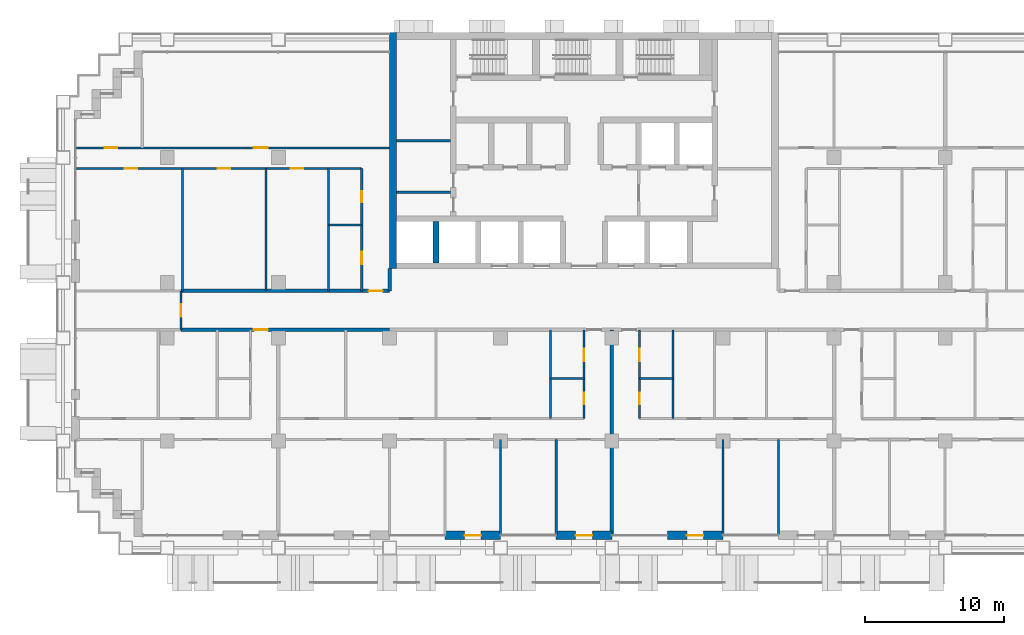
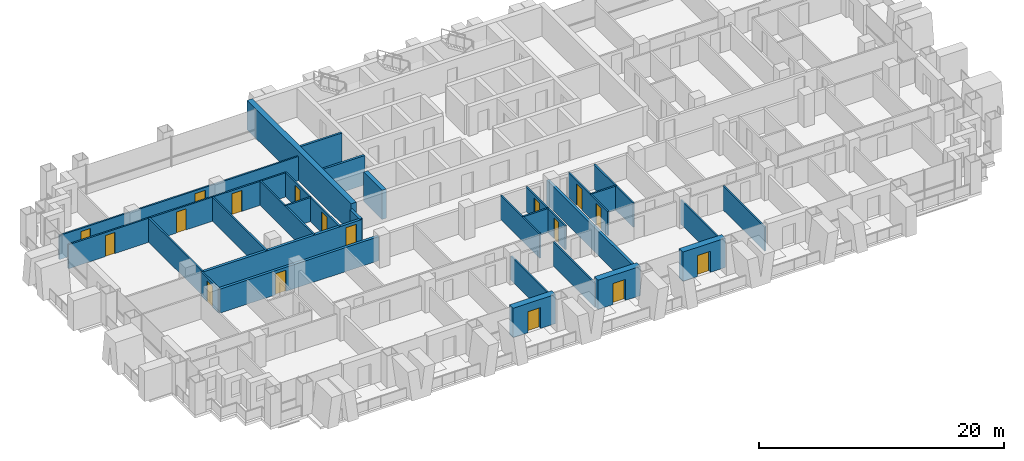
# One storey, part 10 of 18: 29 walls, 17 doors, 17 openings.
"""IFC4 building model written with IfcOpenShell, lengths in metres."""

from ifc_helpers import new_model, si_unit, direction, frame, frame_2d, origin, place, context, subcontext, project, spatial, rectangle, extrude, material, layer, layer_set, type_object, element, fill, save


model = new_model("IFC4")

# Units and contexts
model_context = context("Model", 3, precision=1e-05, world=origin(), true_north=direction((0.0, 1.0)))
body_context = subcontext(model_context, "Body", "Model", "MODEL_VIEW")
ifc_project = project(units=[si_unit("LENGTHUNIT", "METRE"), si_unit("AREAUNIT", "SQUARE_METRE"), si_unit("VOLUMEUNIT", "CUBIC_METRE"), si_unit("PLANEANGLEUNIT", "RADIAN"), si_unit("MASSUNIT", "GRAM", prefix="KILO")], contexts=[model_context])

# Site, building, storey
site_placement = place(None, origin())
site = spatial("IfcSite", under=ifc_project, at=site_placement, CompositionType="ELEMENT")
building_placement = place(site_placement, origin())
building = spatial("IfcBuilding", under=site, at=building_placement, Name="Vidyagriha Tower", CompositionType="ELEMENT")
storey_placement = place(building_placement, frame((0.0, 0.0, 44.800048828125)))
storey = spatial("IfcBuildingStorey", under=building, at=storey_placement, Name="L11", CompositionType="ELEMENT", Elevation=44.800048828125)

# Wall, opening, door
ifc_material_1 = material(Name="Precast concrete C40/50 with brick facing", Category="concrete")
ifc_layer_1 = layer(ifc_material_1, 0.60009765625)
ifc_layer_set_1 = layer_set([ifc_layer_1], Name="Precast concrete C40/50 with brick facing")
wall_type_1 = type_object("IfcWallType", Name="Brick-faced precast wall 600", PredefinedType="STANDARD", material=ifc_layer_set_1)
wall_1_placement = place(storey_placement, frame((-10.0, -16.199951171875, 0.0)))
wall_1 = element("IfcWall", 1, at=wall_1_placement, inside=storey, type_object=wall_type_1, Name="Brick door bay wall L11 R23.7", PredefinedType="STANDARD", context=body_context, shape_type="SweptSolid", body=[
    extrude(rectangle(XDim=4.0, YDim=0.60009765625, at=frame_2d((2.0, 0.0))), origin(), (0.0, 0.0, 1.0), 2.919921875),
])
opening_1_placement = place(wall_1_placement, frame((1.39990234375, 0.0, 0.0)))
opening_1 = element("IfcOpeningElement", 2, at=opening_1_placement, cuts=wall_1, Name="Opening D11-79", PredefinedType="OPENING", context=body_context, shape_type="SweptSolid", body=[
    extrude(rectangle(XDim=1.199951171875, YDim=2.10009765625, at=frame_2d((0.60009765625, 1.050048828125))), frame((0.0, 0.31005859375, 0.0), z_axis=(0.0, -1.0, 0.0), x_axis=(1.0, 0.0, 0.0)), (0.0, 0.0, 1.0), 0.6201171875),
])
ifc_material_2 = material(Name="Aluminium framed glazed sliding door", Category="aluminium")
door_type_1 = type_object("IfcDoorType", Name="Balcony sliding door 1200x2100", OperationType="NOTDEFINED", PredefinedType="DOOR", material=ifc_material_2)
door_1_placement = place(opening_1_placement, origin())
door_1 = element("IfcDoor", 3, at=door_1_placement, inside=storey, type_object=door_type_1, Name="Door D11-79", OperationType="SLIDING_TO_LEFT", OverallHeight=2.10009765625, OverallWidth=1.199951171875, PredefinedType="DOOR", context=body_context, shape_type="SweptSolid", body=[
    extrude(rectangle(XDim=1.199951171875, YDim=2.10009765625, at=frame_2d((0.60009765625, 1.050048828125))), frame((0.0, 0.02490234375, 0.0), z_axis=(0.0, -1.0, 0.0), x_axis=(1.0, 0.0, 0.0)), (0.0, 0.0, 1.0), 0.050048828125),
])
fill(opening_1, door_1)

wall_2_placement = place(storey_placement, frame((-2.0, -16.199951171875, 0.0)))
wall_2 = element("IfcWall", 4, at=wall_2_placement, inside=storey, type_object=wall_type_1, Name="Brick door bay wall L11 R23.9", PredefinedType="STANDARD", context=body_context, shape_type="SweptSolid", body=[
    extrude(rectangle(XDim=4.0, YDim=0.60009765625, at=frame_2d((2.0, 0.0))), origin(), (0.0, 0.0, 1.0), 2.919921875),
])
opening_2_placement = place(wall_2_placement, frame((1.39990234375, 0.0, 0.0)))
opening_2 = element("IfcOpeningElement", 5, at=opening_2_placement, cuts=wall_2, Name="Opening D11-80", PredefinedType="OPENING", context=body_context, shape_type="SweptSolid", body=[
    extrude(rectangle(XDim=1.199951171875, YDim=2.10009765625, at=frame_2d((0.60009765625, 1.050048828125))), frame((0.0, 0.31005859375, 0.0), z_axis=(0.0, -1.0, 0.0), x_axis=(1.0, 0.0, 0.0)), (0.0, 0.0, 1.0), 0.6201171875),
])
door_2_placement = place(opening_2_placement, origin())
door_2 = element("IfcDoor", 6, at=door_2_placement, inside=storey, type_object=door_type_1, Name="Door D11-80", OperationType="SLIDING_TO_LEFT", OverallHeight=2.10009765625, OverallWidth=1.199951171875, PredefinedType="DOOR", context=body_context, shape_type="SweptSolid", body=[
    extrude(rectangle(XDim=1.199951171875, YDim=2.10009765625, at=frame_2d((0.60009765625, 1.050048828125))), frame((0.0, 0.02490234375, 0.0), z_axis=(0.0, -1.0, 0.0), x_axis=(1.0, 0.0, 0.0)), (0.0, 0.0, 1.0), 0.050048828125),
])
fill(opening_2, door_2)

wall_3_placement = place(storey_placement, frame((6.0, -16.199951171875, 0.0)))
wall_3 = element("IfcWall", 7, at=wall_3_placement, inside=storey, type_object=wall_type_1, Name="Brick door bay wall L11 R23.11", PredefinedType="STANDARD", context=body_context, shape_type="SweptSolid", body=[
    extrude(rectangle(XDim=4.0, YDim=0.60009765625, at=frame_2d((2.0, 0.0))), origin(), (0.0, 0.0, 1.0), 2.919921875),
])
opening_3_placement = place(wall_3_placement, frame((1.39990234375, 0.0, 0.0)))
opening_3 = element("IfcOpeningElement", 8, at=opening_3_placement, cuts=wall_3, Name="Opening D11-81", PredefinedType="OPENING", context=body_context, shape_type="SweptSolid", body=[
    extrude(rectangle(XDim=1.199951171875, YDim=2.10009765625, at=frame_2d((0.60009765625, 1.050048828125))), frame((0.0, 0.31005859375, 0.0), z_axis=(0.0, -1.0, 0.0), x_axis=(1.0, 0.0, 0.0)), (0.0, 0.0, 1.0), 0.6201171875),
])
door_3_placement = place(opening_3_placement, origin())
door_3 = element("IfcDoor", 9, at=door_3_placement, inside=storey, type_object=door_type_1, Name="Door D11-81", OperationType="SLIDING_TO_LEFT", OverallHeight=2.10009765625, OverallWidth=1.199951171875, PredefinedType="DOOR", context=body_context, shape_type="SweptSolid", body=[
    extrude(rectangle(XDim=1.199951171875, YDim=2.10009765625, at=frame_2d((0.60009765625, 1.050048828125))), frame((0.0, 0.02490234375, 0.0), z_axis=(0.0, -1.0, 0.0), x_axis=(1.0, 0.0, 0.0)), (0.0, 0.0, 1.0), 0.050048828125),
])
fill(opening_3, door_3)

# Walls
ifc_material_3 = material(Name="Concrete C60/75", Category="concrete")
ifc_layer_2 = layer(ifc_material_3, 0.39990234375)
ifc_layer_set_2 = layer_set([ifc_layer_2], Name="Concrete C60/75")
wall_type_2 = type_object("IfcWallType", Name="Core shear wall 400 mm", PredefinedType="SHEAR", material=ifc_layer_set_2)
wall_4_placement = place(storey_placement, frame((-10.655517578125, 3.39990234375, 0.0), z_axis=(0.0, 0.0, 1.0), x_axis=(0.0, 1.0, 0.0)))
element("IfcWall", 10, at=wall_4_placement, inside=storey, type_object=wall_type_2, Name="Core bay wall S1", PredefinedType="SHEAR", context=body_context, shape_type="SweptSolid", body=[
    extrude(rectangle(XDim=3.0, YDim=0.39990234375, at=frame_2d((1.5, 0.0))), origin(), (0.0, 0.0, 1.0), 2.919921875),
])
ifc_material_4 = material(Name="Concrete C60/75", Category="concrete")
ifc_layer_3 = layer(ifc_material_4, 0.5)
ifc_layer_set_3 = layer_set([ifc_layer_3], Name="Concrete C60/75")
wall_type_3 = type_object("IfcWallType", Name="Core shear wall 500 mm", PredefinedType="SHEAR", material=ifc_layer_set_3)
wall_5_placement = place(storey_placement, frame((-13.75, 3.0, 0.0), z_axis=(0.0, 0.0, 1.0), x_axis=(0.0, 1.0, 0.0)))
element("IfcWall", 11, at=wall_5_placement, inside=storey, type_object=wall_type_3, Name="Core west wall", PredefinedType="SHEAR", context=body_context, shape_type="SweptSolid", body=[
    extrude(rectangle(XDim=17.0, YDim=0.5, at=frame_2d((8.5, 0.0))), origin(), (0.0, 0.0, 1.0), 2.919921875),
])

# Wall, opening, door
ifc_material_5 = material(Name="Fired clay brick masonry", Category="masonry")
ifc_layer_4 = layer(ifc_material_5, 0.25)
ifc_layer_set_4 = layer_set([ifc_layer_4], Name="Fired clay brick masonry")
wall_type_4 = type_object("IfcWallType", Name="Fired clay brick corridor wall 250", PredefinedType="PARTITIONING", material=ifc_layer_set_4)
wall_6_placement = place(storey_placement, frame((-14.0, -1.39990234375, 0.0), z_axis=(0.0, 0.0, 1.0), x_axis=(-1.0, 0.0, 0.0)))
wall_6 = element("IfcWall", 12, at=wall_6_placement, inside=storey, type_object=wall_type_4, Name="Wall all-L11-w078", PredefinedType="PARTITIONING", context=body_context, shape_type="SweptSolid", body=[
    extrude(rectangle(XDim=15.0, YDim=0.25, at=frame_2d((7.5, 0.0))), origin(), (0.0, 0.0, 1.0), 2.39990234375),
])
opening_4_placement = place(wall_6_placement, frame((8.760009765625, 0.0, 0.0)))
opening_4 = element("IfcOpeningElement", 13, at=opening_4_placement, cuts=wall_6, Name="Opening D11-21", PredefinedType="OPENING", context=body_context, shape_type="SweptSolid", body=[
    extrude(rectangle(XDim=1.0, YDim=2.10009765625, at=frame_2d((0.5, 1.050048828125))), frame((0.0, 0.135009765625, 0.0), z_axis=(0.0, -1.0, 0.0), x_axis=(1.0, 0.0, 0.0)), (0.0, 0.0, 1.0), 0.27001953125),
])
ifc_material_6 = material(Name="Fire-rated timber door leaf EI 60", Category="wood")
door_type_2 = type_object("IfcDoorType", Name="Flat entrance fire door 1000x2100", OperationType="NOTDEFINED", PredefinedType="DOOR", material=ifc_material_6)
door_4_placement = place(opening_4_placement, origin())
door_4 = element("IfcDoor", 14, at=door_4_placement, inside=storey, type_object=door_type_2, Name="Door D11-21", OperationType="SINGLE_SWING_LEFT", OverallHeight=2.10009765625, OverallWidth=1.0, PredefinedType="DOOR", context=body_context, shape_type="SweptSolid", body=[
    extrude(rectangle(XDim=1.0, YDim=2.10009765625, at=frame_2d((0.5, 1.050048828125))), frame((0.0, 0.02490234375, 0.0), z_axis=(0.0, -1.0, 0.0), x_axis=(1.0, 0.0, 0.0)), (0.0, 0.0, 1.0), 0.050048828125),
])
fill(opening_4, door_4)

wall_7_placement = place(storey_placement, frame((-29.0, 1.39990234375, 0.0)))
wall_7 = element("IfcWall", 15, at=wall_7_placement, inside=storey, type_object=wall_type_4, Name="Wall all-L11-w098", PredefinedType="PARTITIONING", context=body_context, shape_type="SweptSolid", body=[
    extrude(rectangle(XDim=15.0, YDim=0.25, at=frame_2d((7.5, 0.0))), origin(), (0.0, 0.0, 1.0), 2.39990234375),
])
opening_5_placement = place(wall_7_placement, frame((13.5, 0.0, 0.0)))
opening_5 = element("IfcOpeningElement", 16, at=opening_5_placement, cuts=wall_7, Name="Opening D11-59", PredefinedType="OPENING", context=body_context, shape_type="SweptSolid", body=[
    extrude(rectangle(XDim=1.0, YDim=2.10009765625, at=frame_2d((0.5, 1.050048828125))), frame((0.0, 0.135009765625, 0.0), z_axis=(0.0, -1.0, 0.0), x_axis=(1.0, 0.0, 0.0)), (0.0, 0.0, 1.0), 0.27001953125),
])
door_5_placement = place(opening_5_placement, origin())
door_5 = element("IfcDoor", 17, at=door_5_placement, inside=storey, type_object=door_type_2, Name="Door D11-59", OperationType="SINGLE_SWING_RIGHT", OverallHeight=2.10009765625, OverallWidth=1.0, PredefinedType="DOOR", context=body_context, shape_type="SweptSolid", body=[
    extrude(rectangle(XDim=1.0, YDim=2.10009765625, at=frame_2d((0.5, 1.050048828125))), frame((0.0, 0.02490234375, 0.0), z_axis=(0.0, -1.0, 0.0), x_axis=(1.0, 0.0, 0.0)), (0.0, 0.0, 1.0), 0.050048828125),
])
fill(opening_5, door_5)

# Walls
wall_8_placement = place(storey_placement, frame((-14.0, 3.0, 0.0), z_axis=(0.0, 0.0, 1.0), x_axis=(0.0, -1.0, 0.0)))
element("IfcWall", 18, at=wall_8_placement, inside=storey, type_object=wall_type_4, Name="Wall all-L11-w134", PredefinedType="PARTITIONING", context=body_context, shape_type="SweptSolid", body=[
    extrude(rectangle(XDim=1.60009765625, YDim=0.25, at=frame_2d((0.800048828125, 0.0))), origin(), (0.0, 0.0, 1.0), 2.39990234375),
])
ifc_material_7 = material(Name="Fired clay brick masonry", Category="masonry")
ifc_layer_5 = layer(ifc_material_7, 0.25)
ifc_layer_set_5 = layer_set([ifc_layer_5], Name="Fired clay brick masonry")
wall_type_5 = type_object("IfcWallType", Name="Fired clay brick demising wall 250", PredefinedType="PARTITIONING", material=ifc_layer_set_5)
wall_9_placement = place(storey_placement, frame((2.0, -1.39990234375, 0.0), z_axis=(0.0, 0.0, 1.0), x_axis=(0.0, -1.0, 0.0)))
element("IfcWall", 19, at=wall_9_placement, inside=storey, type_object=wall_type_5, Name="Wall all-L11-w056", PredefinedType="PARTITIONING", context=body_context, shape_type="SweptSolid", body=[
    extrude(rectangle(XDim=14.710205078125, YDim=0.25, at=frame_2d((7.35498046875, 0.0))), origin(), (0.0, 0.0, 1.0), 2.39990234375),
])
ifc_material_8 = material(Name="Gypsum board partition")
ifc_layer_6 = layer(ifc_material_8, 0.14990234375)
ifc_layer_set_6 = layer_set([ifc_layer_6], Name="Gypsum board partition")
wall_type_6 = type_object("IfcWallType", Name="Gypsum board partition 150", PredefinedType="PARTITIONING", material=ifc_layer_set_6)
wall_10_placement = place(storey_placement, frame((0.0, -4.89990234375, 0.0), z_axis=(0.0, 0.0, 1.0), x_axis=(-1.0, 0.0, 0.0)))
element("IfcWall", 20, at=wall_10_placement, inside=storey, type_object=wall_type_6, Name="Wall all-L11-w018", PredefinedType="PARTITIONING", context=body_context, shape_type="SweptSolid", body=[
    extrude(rectangle(XDim=2.39990234375, YDim=0.14990234375, at=frame_2d((1.199951171875, 0.0))), origin(), (0.0, 0.0, 1.0), 2.39990234375),
])
wall_11_placement = place(storey_placement, frame((-2.39990234375, -7.800048828125, 0.0), z_axis=(0.0, 0.0, 1.0), x_axis=(0.0, 1.0, 0.0)))
element("IfcWall", 21, at=wall_11_placement, inside=storey, type_object=wall_type_6, Name="Wall all-L11-w019", PredefinedType="PARTITIONING", context=body_context, shape_type="SweptSolid", body=[
    extrude(rectangle(XDim=6.400146484375, YDim=0.14990234375, at=frame_2d((3.2001953125, 0.0))), origin(), (0.0, 0.0, 1.0), 2.39990234375),
])
wall_12_placement = place(storey_placement, frame((-6.0, -9.300048828125, 0.0), z_axis=(0.0, 0.0, 1.0), x_axis=(0.0, -1.0, 0.0)))
element("IfcWall", 22, at=wall_12_placement, inside=storey, type_object=wall_type_6, Name="Wall all-L11-w034", PredefinedType="PARTITIONING", context=body_context, shape_type="SweptSolid", body=[
    extrude(rectangle(XDim=6.81005859375, YDim=0.14990234375, at=frame_2d((3.405029296875, 0.0))), origin(), (0.0, 0.0, 1.0), 2.39990234375),
])
wall_13_placement = place(storey_placement, frame((-2.0, -9.300048828125, 0.0), z_axis=(0.0, 0.0, 1.0), x_axis=(0.0, -1.0, 0.0)))
element("IfcWall", 23, at=wall_13_placement, inside=storey, type_object=wall_type_6, Name="Wall all-L11-w035", PredefinedType="PARTITIONING", context=body_context, shape_type="SweptSolid", body=[
    extrude(rectangle(XDim=6.821044921875, YDim=0.14990234375, at=frame_2d((3.41064453125, 0.0))), origin(), (0.0, 0.0, 1.0), 2.39990234375),
])
wall_14_placement = place(storey_placement, frame((6.39990234375, -4.89990234375, 0.0), z_axis=(0.0, 0.0, 1.0), x_axis=(-1.0, 0.0, 0.0)))
element("IfcWall", 24, at=wall_14_placement, inside=storey, type_object=wall_type_6, Name="Wall all-L11-w041", PredefinedType="PARTITIONING", context=body_context, shape_type="SweptSolid", body=[
    extrude(rectangle(XDim=2.39990234375, YDim=0.14990234375, at=frame_2d((1.199951171875, 0.0))), origin(), (0.0, 0.0, 1.0), 2.39990234375),
])
wall_15_placement = place(storey_placement, frame((6.39990234375, -1.39990234375, 0.0), z_axis=(0.0, 0.0, 1.0), x_axis=(0.0, -1.0, 0.0)))
element("IfcWall", 25, at=wall_15_placement, inside=storey, type_object=wall_type_6, Name="Wall all-L11-w042", PredefinedType="PARTITIONING", context=body_context, shape_type="SweptSolid", body=[
    extrude(rectangle(XDim=6.400146484375, YDim=0.14990234375, at=frame_2d((3.2001953125, 0.0))), origin(), (0.0, 0.0, 1.0), 2.39990234375),
])
wall_16_placement = place(storey_placement, frame((10.0, -9.300048828125, 0.0), z_axis=(0.0, 0.0, 1.0), x_axis=(0.0, -1.0, 0.0)))
element("IfcWall", 26, at=wall_16_placement, inside=storey, type_object=wall_type_6, Name="Wall all-L11-w053", PredefinedType="PARTITIONING", context=body_context, shape_type="SweptSolid", body=[
    extrude(rectangle(XDim=6.81005859375, YDim=0.14990234375, at=frame_2d((3.405029296875, 0.0))), origin(), (0.0, 0.0, 1.0), 2.39990234375),
])
wall_17_placement = place(storey_placement, frame((14.0, -9.300048828125, 0.0), z_axis=(0.0, 0.0, 1.0), x_axis=(0.0, -1.0, 0.0)))
element("IfcWall", 27, at=wall_17_placement, inside=storey, type_object=wall_type_6, Name="Wall all-L11-w054", PredefinedType="PARTITIONING", context=body_context, shape_type="SweptSolid", body=[
    extrude(rectangle(XDim=6.821044921875, YDim=0.14990234375, at=frame_2d((3.41064453125, 0.0))), origin(), (0.0, 0.0, 1.0), 2.39990234375),
])
wall_18_placement = place(storey_placement, frame((-18.39990234375, 6.14990234375, 0.0)))
element("IfcWall", 28, at=wall_18_placement, inside=storey, type_object=wall_type_6, Name="Wall all-L11-w085", PredefinedType="PARTITIONING", context=body_context, shape_type="SweptSolid", body=[
    extrude(rectangle(XDim=2.39990234375, YDim=0.14990234375, at=frame_2d((1.199951171875, 0.0))), origin(), (0.0, 0.0, 1.0), 2.39990234375),
])
for number, where, z_axis, x_axis, name in (
    (29, (-18.39990234375, 1.39990234375, 0.0), (0.0, 0.0, 1.0), (0.0, 1.0, 0.0), "Wall all-L11-w086"),
    (30, (-22.89990234375, 1.39990234375, 0.0), (0.0, 0.0, 1.0), (0.0, 1.0, 0.0), "Wall all-L11-w087"),
    (31, (-28.89990234375, 1.39990234375, 0.0), (0.0, 0.0, 1.0), (0.0, 1.0, 0.0), "Wall all-L11-w088"),
):
    element("IfcWall", number, at=place(storey_placement, frame(where, z_axis=z_axis, x_axis=x_axis)), inside=storey, type_object=wall_type_6, Name=name, PredefinedType="PARTITIONING", context=body_context, shape_type="SweptSolid", body=[
        extrude(rectangle(XDim=8.800048828125, YDim=0.14990234375, at=frame_2d((4.39990234375, 0.0))), origin(), (0.0, 0.0, 1.0), 2.39990234375),
    ])

# Wall, openings, doors
wall_19_placement = place(storey_placement, frame((-16.0, 10.199951171875, 0.0), z_axis=(0.0, 0.0, 1.0), x_axis=(-1.0, 0.0, 0.0)))
wall_19 = element("IfcWall", 32, at=wall_19_placement, inside=storey, type_object=wall_type_6, Name="Wall all-L11-w089", PredefinedType="PARTITIONING", context=body_context, shape_type="SweptSolid", body=[
    extrude(rectangle(XDim=20.52001953125, YDim=0.14990234375, at=frame_2d((10.260009765625, 0.0))), origin(), (0.0, 0.0, 1.0), 2.39990234375),
])
opening_6_placement = place(wall_19_placement, frame((4.199951171875, 0.0, 0.0)))
opening_6 = element("IfcOpeningElement", 33, at=opening_6_placement, cuts=wall_19, Name="Opening D11-54", PredefinedType="OPENING", context=body_context, shape_type="SweptSolid", body=[
    extrude(rectangle(XDim=0.89990234375, YDim=2.10009765625, at=frame_2d((0.449951171875, 1.050048828125))), frame((0.0, 0.0849609375, 0.0), z_axis=(0.0, -1.0, 0.0), x_axis=(1.0, 0.0, 0.0)), (0.0, 0.0, 1.0), 0.169921875),
])
opening_7_placement = place(wall_19_placement, frame((9.449951171875, 0.0, 0.0)))
opening_7 = element("IfcOpeningElement", 34, at=opening_7_placement, cuts=wall_19, Name="Opening D11-55", PredefinedType="OPENING", context=body_context, shape_type="SweptSolid", body=[
    extrude(rectangle(XDim=0.89990234375, YDim=2.10009765625, at=frame_2d((0.449951171875, 1.050048828125))), frame((0.0, 0.0849609375, 0.0), z_axis=(0.0, -1.0, 0.0), x_axis=(1.0, 0.0, 0.0)), (0.0, 0.0, 1.0), 0.169921875),
])
opening_8_placement = place(wall_19_placement, frame((16.14990234375, 0.0, 0.0)))
opening_8 = element("IfcOpeningElement", 35, at=opening_8_placement, cuts=wall_19, Name="Opening D11-56", PredefinedType="OPENING", context=body_context, shape_type="SweptSolid", body=[
    extrude(rectangle(XDim=0.89990234375, YDim=2.10009765625, at=frame_2d((0.449951171875, 1.050048828125))), frame((0.0, 0.0849609375, 0.0), z_axis=(0.0, -1.0, 0.0), x_axis=(1.0, 0.0, 0.0)), (0.0, 0.0, 1.0), 0.169921875),
])
ifc_material_9 = material(Name="Timber door leaf", Category="wood")
door_type_3 = type_object("IfcDoorType", Name="Room door 900x2100", OperationType="NOTDEFINED", PredefinedType="DOOR", material=ifc_material_9)
door_6_placement = place(opening_6_placement, origin())
door_6 = element("IfcDoor", 36, at=door_6_placement, inside=storey, type_object=door_type_3, Name="Door D11-54", OperationType="SINGLE_SWING_RIGHT", OverallHeight=2.10009765625, OverallWidth=0.89990234375, PredefinedType="DOOR", context=body_context, shape_type="SweptSolid", body=[
    extrude(rectangle(XDim=0.89990234375, YDim=2.10009765625, at=frame_2d((0.449951171875, 1.050048828125))), frame((0.0, 0.02490234375, 0.0), z_axis=(0.0, -1.0, 0.0), x_axis=(1.0, 0.0, 0.0)), (0.0, 0.0, 1.0), 0.050048828125),
])
fill(opening_6, door_6)
door_7_placement = place(opening_7_placement, origin())
door_7 = element("IfcDoor", 37, at=door_7_placement, inside=storey, type_object=door_type_3, Name="Door D11-55", OperationType="SINGLE_SWING_RIGHT", OverallHeight=2.10009765625, OverallWidth=0.89990234375, PredefinedType="DOOR", context=body_context, shape_type="SweptSolid", body=[
    extrude(rectangle(XDim=0.89990234375, YDim=2.10009765625, at=frame_2d((0.449951171875, 1.050048828125))), frame((0.0, 0.02490234375, 0.0), z_axis=(0.0, -1.0, 0.0), x_axis=(1.0, 0.0, 0.0)), (0.0, 0.0, 1.0), 0.050048828125),
])
fill(opening_7, door_7)
door_8_placement = place(opening_8_placement, origin())
door_8 = element("IfcDoor", 38, at=door_8_placement, inside=storey, type_object=door_type_3, Name="Door D11-56", OperationType="SINGLE_SWING_RIGHT", OverallHeight=2.10009765625, OverallWidth=0.89990234375, PredefinedType="DOOR", context=body_context, shape_type="SweptSolid", body=[
    extrude(rectangle(XDim=0.89990234375, YDim=2.10009765625, at=frame_2d((0.449951171875, 1.050048828125))), frame((0.0, 0.02490234375, 0.0), z_axis=(0.0, -1.0, 0.0), x_axis=(1.0, 0.0, 0.0)), (0.0, 0.0, 1.0), 0.050048828125),
])
fill(opening_8, door_8)

wall_20_placement = place(storey_placement, frame((-36.52001953125, 11.699951171875, 0.0)))
wall_20 = element("IfcWall", 39, at=wall_20_placement, inside=storey, type_object=wall_type_6, Name="Wall all-L11-w093", PredefinedType="PARTITIONING", context=body_context, shape_type="SweptSolid", body=[
    extrude(rectangle(XDim=22.52001953125, YDim=0.14990234375, at=frame_2d((11.260009765625, 0.0))), origin(), (0.0, 0.0, 1.0), 2.39990234375),
])
opening_9_placement = place(wall_20_placement, frame((2.02001953125, 0.0, 0.0)))
opening_9 = element("IfcOpeningElement", 40, at=opening_9_placement, cuts=wall_20, Name="Opening D11-57", PredefinedType="OPENING", context=body_context, shape_type="SweptSolid", body=[
    extrude(rectangle(XDim=0.89990234375, YDim=2.10009765625, at=frame_2d((0.449951171875, 1.050048828125))), frame((0.0, 0.0849609375, 0.0), z_axis=(0.0, -1.0, 0.0), x_axis=(1.0, 0.0, 0.0)), (0.0, 0.0, 1.0), 0.169921875),
])
opening_10_placement = place(wall_20_placement, frame((12.760009765625, 0.0, 0.0)))
opening_10 = element("IfcOpeningElement", 41, at=opening_10_placement, cuts=wall_20, Name="Opening D11-58", PredefinedType="OPENING", context=body_context, shape_type="SweptSolid", body=[
    extrude(rectangle(XDim=1.0, YDim=2.10009765625, at=frame_2d((0.5, 1.050048828125))), frame((0.0, 0.0849609375, 0.0), z_axis=(0.0, -1.0, 0.0), x_axis=(1.0, 0.0, 0.0)), (0.0, 0.0, 1.0), 0.169921875),
])
ifc_material_10 = material(Name="Timber door leaf", Category="wood")
door_type_4 = type_object("IfcDoorType", Name="Room door 1000x2100", OperationType="NOTDEFINED", PredefinedType="DOOR", material=ifc_material_10)
door_9_placement = place(opening_10_placement, origin())
door_9 = element("IfcDoor", 42, at=door_9_placement, inside=storey, type_object=door_type_4, Name="Door D11-58", OperationType="SINGLE_SWING_LEFT", OverallHeight=2.10009765625, OverallWidth=1.0, PredefinedType="DOOR", context=body_context, shape_type="SweptSolid", body=[
    extrude(rectangle(XDim=1.0, YDim=2.10009765625, at=frame_2d((0.5, 1.050048828125))), frame((0.0, 0.02490234375, 0.0), z_axis=(0.0, -1.0, 0.0), x_axis=(1.0, 0.0, 0.0)), (0.0, 0.0, 1.0), 0.050048828125),
])
fill(opening_10, door_9)
door_10_placement = place(opening_9_placement, origin())
door_10 = element("IfcDoor", 43, at=door_10_placement, inside=storey, type_object=door_type_3, Name="Door D11-57", OperationType="SINGLE_SWING_RIGHT", OverallHeight=2.10009765625, OverallWidth=0.89990234375, PredefinedType="DOOR", context=body_context, shape_type="SweptSolid", body=[
    extrude(rectangle(XDim=0.89990234375, YDim=2.10009765625, at=frame_2d((0.449951171875, 1.050048828125))), frame((0.0, 0.02490234375, 0.0), z_axis=(0.0, -1.0, 0.0), x_axis=(1.0, 0.0, 0.0)), (0.0, 0.0, 1.0), 0.050048828125),
])
fill(opening_9, door_10)

# Wall, opening, door
wall_21_placement = place(storey_placement, frame((-29.0, 1.39990234375, 0.0), z_axis=(0.0, 0.0, 1.0), x_axis=(0.0, -1.0, 0.0)))
wall_21 = element("IfcWall", 44, at=wall_21_placement, inside=storey, type_object=wall_type_6, Name="Wall all-L11-w129", PredefinedType="PARTITIONING", context=body_context, shape_type="SweptSolid", body=[
    extrude(rectangle(XDim=2.7998046875, YDim=0.14990234375, at=frame_2d((1.39990234375, 0.0))), origin(), (0.0, 0.0, 1.0), 2.39990234375),
])
opening_11_placement = place(wall_21_placement, frame((0.949951171875, 0.0, 0.0)))
opening_11 = element("IfcOpeningElement", 45, at=opening_11_placement, cuts=wall_21, Name="Opening D11-73", PredefinedType="OPENING", context=body_context, shape_type="SweptSolid", body=[
    extrude(rectangle(XDim=0.89990234375, YDim=2.10009765625, at=frame_2d((0.449951171875, 1.050048828125))), frame((0.0, 0.0849609375, 0.0), z_axis=(0.0, -1.0, 0.0), x_axis=(1.0, 0.0, 0.0)), (0.0, 0.0, 1.0), 0.169921875),
])
door_11_placement = place(opening_11_placement, origin())
door_11 = element("IfcDoor", 46, at=door_11_placement, inside=storey, type_object=door_type_3, Name="Door D11-73", OperationType="SINGLE_SWING_RIGHT", OverallHeight=2.10009765625, OverallWidth=0.89990234375, PredefinedType="DOOR", context=body_context, shape_type="SweptSolid", body=[
    extrude(rectangle(XDim=0.89990234375, YDim=2.10009765625, at=frame_2d((0.449951171875, 1.050048828125))), frame((0.0, 0.02490234375, 0.0), z_axis=(0.0, -1.0, 0.0), x_axis=(1.0, 0.0, 0.0)), (0.0, 0.0, 1.0), 0.050048828125),
])
fill(opening_11, door_11)

# Wall, openings, doors
ifc_material_11 = material(Name="Moisture resistant gypsum board partition")
ifc_layer_7 = layer(ifc_material_11, 0.14990234375)
ifc_layer_set_7 = layer_set([ifc_layer_7], Name="Moisture resistant gypsum board partition")
wall_type_7 = type_object("IfcWallType", Name="Gypsum board wet-area partition 150", PredefinedType="PARTITIONING", material=ifc_layer_set_7)
wall_22_placement = place(storey_placement, frame((0.0, -7.800048828125, 0.0), z_axis=(0.0, 0.0, 1.0), x_axis=(0.0, 1.0, 0.0)))
wall_22 = element("IfcWall", 47, at=wall_22_placement, inside=storey, type_object=wall_type_7, Name="Wall all-L11-w015", PredefinedType="PARTITIONING", context=body_context, shape_type="SweptSolid", body=[
    extrude(rectangle(XDim=6.400146484375, YDim=0.14990234375, at=frame_2d((3.2001953125, 0.0))), origin(), (0.0, 0.0, 1.0), 2.39990234375),
])
opening_12_placement = place(wall_22_placement, frame((4.139892578125, 0.0, 0.0)))
opening_12 = element("IfcOpeningElement", 48, at=opening_12_placement, cuts=wall_22, Name="Opening D11-22", PredefinedType="OPENING", context=body_context, shape_type="SweptSolid", body=[
    extrude(rectangle(XDim=0.89990234375, YDim=2.10009765625, at=frame_2d((0.449951171875, 1.050048828125))), frame((0.0, 0.0849609375, 0.0), z_axis=(0.0, -1.0, 0.0), x_axis=(1.0, 0.0, 0.0)), (0.0, 0.0, 1.0), 0.169921875),
])
opening_13_placement = place(wall_22_placement, frame((1.050048828125, 0.0, 0.0)))
opening_13 = element("IfcOpeningElement", 49, at=opening_13_placement, cuts=wall_22, Name="Opening D11-23", PredefinedType="OPENING", context=body_context, shape_type="SweptSolid", body=[
    extrude(rectangle(XDim=0.800048828125, YDim=2.10009765625, at=frame_2d((0.39990234375, 1.050048828125))), frame((0.0, 0.0849609375, 0.0), z_axis=(0.0, -1.0, 0.0), x_axis=(1.0, 0.0, 0.0)), (0.0, 0.0, 1.0), 0.169921875),
])
ifc_material_12 = material(Name="Timber door leaf", Category="wood")
door_type_5 = type_object("IfcDoorType", Name="Bathroom door 800x2100", OperationType="NOTDEFINED", PredefinedType="DOOR", material=ifc_material_12)
door_12_placement = place(opening_13_placement, origin())
door_12 = element("IfcDoor", 50, at=door_12_placement, inside=storey, type_object=door_type_5, Name="Door D11-23", OperationType="SINGLE_SWING_RIGHT", OverallHeight=2.10009765625, OverallWidth=0.800048828125, PredefinedType="DOOR", context=body_context, shape_type="SweptSolid", body=[
    extrude(rectangle(XDim=0.800048828125, YDim=2.10009765625, at=frame_2d((0.39990234375, 1.050048828125))), frame((0.0, 0.02490234375, 0.0), z_axis=(0.0, -1.0, 0.0), x_axis=(1.0, 0.0, 0.0)), (0.0, 0.0, 1.0), 0.050048828125),
])
fill(opening_13, door_12)
ifc_material_13 = material(Name="Timber door leaf", Category="wood")
door_type_6 = type_object("IfcDoorType", Name="Kitchen door 900x2100", OperationType="NOTDEFINED", PredefinedType="DOOR", material=ifc_material_13)
door_13_placement = place(opening_12_placement, origin())
door_13 = element("IfcDoor", 51, at=door_13_placement, inside=storey, type_object=door_type_6, Name="Door D11-22", OperationType="SINGLE_SWING_LEFT", OverallHeight=2.10009765625, OverallWidth=0.89990234375, PredefinedType="DOOR", context=body_context, shape_type="SweptSolid", body=[
    extrude(rectangle(XDim=0.89990234375, YDim=2.10009765625, at=frame_2d((0.449951171875, 1.050048828125))), frame((0.0, 0.02490234375, 0.0), z_axis=(0.0, -1.0, 0.0), x_axis=(1.0, 0.0, 0.0)), (0.0, 0.0, 1.0), 0.050048828125),
])
fill(opening_12, door_13)

wall_23_placement = place(storey_placement, frame((4.0, -1.39990234375, 0.0), z_axis=(0.0, 0.0, 1.0), x_axis=(0.0, -1.0, 0.0)))
wall_23 = element("IfcWall", 52, at=wall_23_placement, inside=storey, type_object=wall_type_7, Name="Wall all-L11-w038", PredefinedType="PARTITIONING", context=body_context, shape_type="SweptSolid", body=[
    extrude(rectangle(XDim=6.400146484375, YDim=0.14990234375, at=frame_2d((3.2001953125, 0.0))), origin(), (0.0, 0.0, 1.0), 2.39990234375),
])
opening_14_placement = place(wall_23_placement, frame((1.360107421875, 0.0, 0.0)))
opening_14 = element("IfcOpeningElement", 53, at=opening_14_placement, cuts=wall_23, Name="Opening D11-33", PredefinedType="OPENING", context=body_context, shape_type="SweptSolid", body=[
    extrude(rectangle(XDim=0.89990234375, YDim=2.10009765625, at=frame_2d((0.449951171875, 1.050048828125))), frame((0.0, 0.0849609375, 0.0), z_axis=(0.0, -1.0, 0.0), x_axis=(1.0, 0.0, 0.0)), (0.0, 0.0, 1.0), 0.169921875),
])
opening_15_placement = place(wall_23_placement, frame((4.550048828125, 0.0, 0.0)))
opening_15 = element("IfcOpeningElement", 54, at=opening_15_placement, cuts=wall_23, Name="Opening D11-34", PredefinedType="OPENING", context=body_context, shape_type="SweptSolid", body=[
    extrude(rectangle(XDim=0.800048828125, YDim=2.10009765625, at=frame_2d((0.39990234375, 1.050048828125))), frame((0.0, 0.0849609375, 0.0), z_axis=(0.0, -1.0, 0.0), x_axis=(1.0, 0.0, 0.0)), (0.0, 0.0, 1.0), 0.169921875),
])
door_14_placement = place(opening_15_placement, origin())
door_14 = element("IfcDoor", 55, at=door_14_placement, inside=storey, type_object=door_type_5, Name="Door D11-34", OperationType="SINGLE_SWING_LEFT", OverallHeight=2.10009765625, OverallWidth=0.800048828125, PredefinedType="DOOR", context=body_context, shape_type="SweptSolid", body=[
    extrude(rectangle(XDim=0.800048828125, YDim=2.10009765625, at=frame_2d((0.39990234375, 1.050048828125))), frame((0.0, 0.02490234375, 0.0), z_axis=(0.0, -1.0, 0.0), x_axis=(1.0, 0.0, 0.0)), (0.0, 0.0, 1.0), 0.050048828125),
])
fill(opening_15, door_14)
door_15_placement = place(opening_14_placement, origin())
door_15 = element("IfcDoor", 56, at=door_15_placement, inside=storey, type_object=door_type_6, Name="Door D11-33", OperationType="SINGLE_SWING_RIGHT", OverallHeight=2.10009765625, OverallWidth=0.89990234375, PredefinedType="DOOR", context=body_context, shape_type="SweptSolid", body=[
    extrude(rectangle(XDim=0.89990234375, YDim=2.10009765625, at=frame_2d((0.449951171875, 1.050048828125))), frame((0.0, 0.02490234375, 0.0), z_axis=(0.0, -1.0, 0.0), x_axis=(1.0, 0.0, 0.0)), (0.0, 0.0, 1.0), 0.050048828125),
])
fill(opening_14, door_15)

wall_24_placement = place(storey_placement, frame((-16.0, 1.39990234375, 0.0), z_axis=(0.0, 0.0, 1.0), x_axis=(0.0, 1.0, 0.0)))
wall_24 = element("IfcWall", 57, at=wall_24_placement, inside=storey, type_object=wall_type_7, Name="Wall all-L11-w082", PredefinedType="PARTITIONING", context=body_context, shape_type="SweptSolid", body=[
    extrude(rectangle(XDim=8.800048828125, YDim=0.14990234375, at=frame_2d((4.39990234375, 0.0))), origin(), (0.0, 0.0, 1.0), 2.39990234375),
])
opening_16_placement = place(wall_24_placement, frame((1.925048828125, 0.0, 0.0)))
opening_16 = element("IfcOpeningElement", 58, at=opening_16_placement, cuts=wall_24, Name="Opening D11-52", PredefinedType="OPENING", context=body_context, shape_type="SweptSolid", body=[
    extrude(rectangle(XDim=0.89990234375, YDim=2.10009765625, at=frame_2d((0.449951171875, 1.050048828125))), frame((0.0, 0.0849609375, 0.0), z_axis=(0.0, -1.0, 0.0), x_axis=(1.0, 0.0, 0.0)), (0.0, 0.0, 1.0), 0.169921875),
])
opening_17_placement = place(wall_24_placement, frame((6.375, 0.0, 0.0)))
opening_17 = element("IfcOpeningElement", 59, at=opening_17_placement, cuts=wall_24, Name="Opening D11-53", PredefinedType="OPENING", context=body_context, shape_type="SweptSolid", body=[
    extrude(rectangle(XDim=0.800048828125, YDim=2.10009765625, at=frame_2d((0.39990234375, 1.050048828125))), frame((0.0, 0.0849609375, 0.0), z_axis=(0.0, -1.0, 0.0), x_axis=(1.0, 0.0, 0.0)), (0.0, 0.0, 1.0), 0.169921875),
])
door_16_placement = place(opening_17_placement, origin())
door_16 = element("IfcDoor", 60, at=door_16_placement, inside=storey, type_object=door_type_5, Name="Door D11-53", OperationType="SINGLE_SWING_RIGHT", OverallHeight=2.10009765625, OverallWidth=0.800048828125, PredefinedType="DOOR", context=body_context, shape_type="SweptSolid", body=[
    extrude(rectangle(XDim=0.800048828125, YDim=2.10009765625, at=frame_2d((0.39990234375, 1.050048828125))), frame((0.0, 0.02490234375, 0.0), z_axis=(0.0, -1.0, 0.0), x_axis=(1.0, 0.0, 0.0)), (0.0, 0.0, 1.0), 0.050048828125),
])
fill(opening_17, door_16)
door_17_placement = place(opening_16_placement, origin())
door_17 = element("IfcDoor", 61, at=door_17_placement, inside=storey, type_object=door_type_6, Name="Door D11-52", OperationType="SINGLE_SWING_LEFT", OverallHeight=2.10009765625, OverallWidth=0.89990234375, PredefinedType="DOOR", context=body_context, shape_type="SweptSolid", body=[
    extrude(rectangle(XDim=0.89990234375, YDim=2.10009765625, at=frame_2d((0.449951171875, 1.050048828125))), frame((0.0, 0.02490234375, 0.0), z_axis=(0.0, -1.0, 0.0), x_axis=(1.0, 0.0, 0.0)), (0.0, 0.0, 1.0), 0.050048828125),
])
fill(opening_16, door_17)

# Walls
ifc_material_14 = material(Name="Blockwork 15 MPa", Category="masonry")
ifc_layer_8 = layer(ifc_material_14, 0.199951171875)
ifc_layer_set_8 = layer_set([ifc_layer_8], Name="Blockwork 15 MPa")
wall_type_8 = type_object("IfcWallType", Name="Service room partition 200 mm", PredefinedType="PARTITIONING", material=ifc_layer_set_8)
for number, where, name in (
    (62, (-13.5, 8.5, 0.0), "Core room partition W1"),
    (63, (-13.5, 12.199951171875, 0.0), "Core room partition W2"),
):
    element("IfcWall", number, at=place(storey_placement, frame(where)), inside=storey, type_object=wall_type_8, Name=name, PredefinedType="PARTITIONING", context=body_context, shape_type="SweptSolid", body=[
        extrude(rectangle(XDim=3.89990234375, YDim=0.199951171875, at=frame_2d((1.949951171875, 0.0))), origin(), (0.0, 0.0, 1.0), 2.919921875),
    ])

save(model, "model.ifc")
